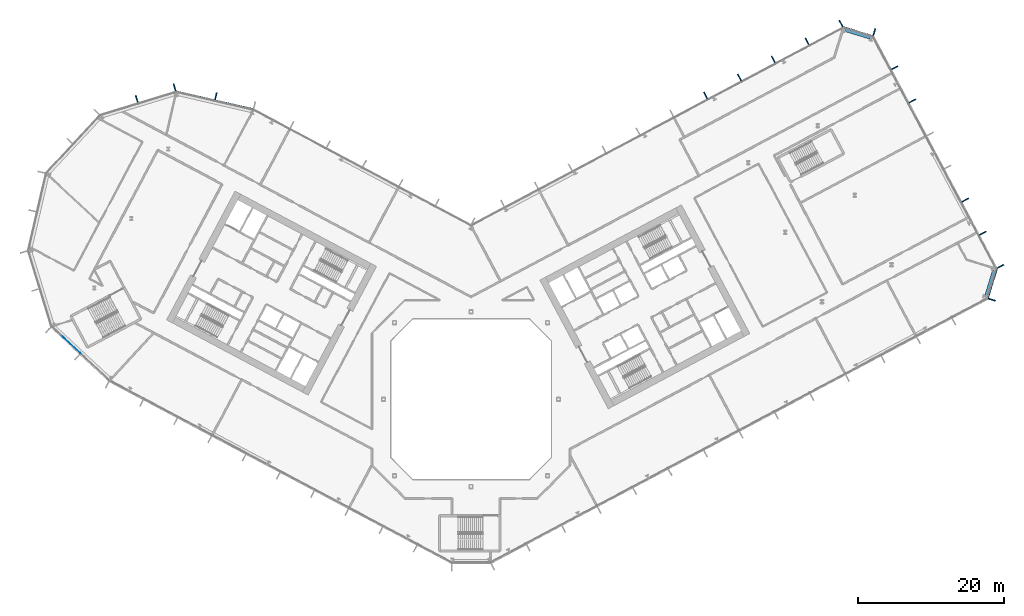
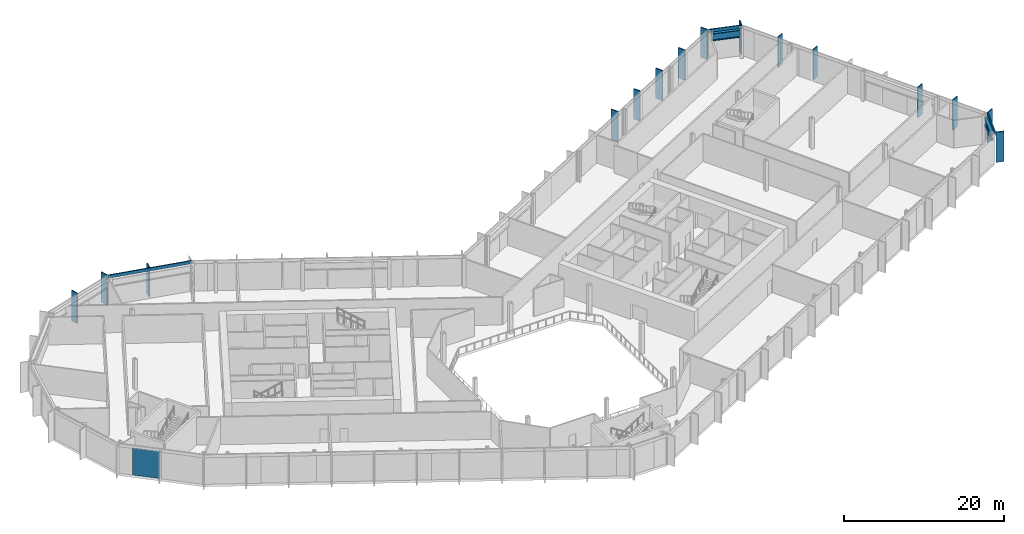
# One storey, part 9 of 32: 18 members, 2 beams, 1 plate, 7 elements without a shape of their own.
"""IFC4 building model written with IfcOpenShell, lengths in metres."""

from ifc_helpers import new_model, si_unit, direction, frame, origin, origin_2d, place, context, subcontext, project, spatial, rectangle, i_section, extrude, material, layer, layer_set, material_profile, profile_set, type_object, element, aggregate, save


model = new_model("IFC4")

# Units and contexts
model_context = context("Model", 3, precision=1e-05, world=origin(), true_north=direction((0.0, 1.0)))
body_context = subcontext(model_context, "Body", "Model", "MODEL_VIEW")
ifc_project = project(units=[si_unit("LENGTHUNIT", "METRE"), si_unit("AREAUNIT", "SQUARE_METRE"), si_unit("VOLUMEUNIT", "CUBIC_METRE"), si_unit("PLANEANGLEUNIT", "RADIAN"), si_unit("MASSUNIT", "GRAM", prefix="KILO")], contexts=[model_context])

# Site, building, storey
site_placement = place(None, origin())
site = spatial("IfcSite", under=ifc_project, at=site_placement, CompositionType="ELEMENT")
building_placement = place(site_placement, origin())
building = spatial("IfcBuilding", under=site, at=building_placement, Name="Cormorant Relay Tower", CompositionType="ELEMENT")
storey_placement = place(building_placement, frame((0.0, 0.0, 70.800048828125)))
storey = spatial("IfcBuildingStorey", under=building, at=storey_placement, Name="L13", CompositionType="ELEMENT", Elevation=70.800048828125)

# Curtain wall, member
ifc_material_1 = material(Name="Aluminium 6063-T6 anodised bronze", Category="aluminium")
ifc_layer_1 = layer(ifc_material_1, 0.199951171875)
ifc_layer_set_1 = layer_set([ifc_layer_1], Name="CW1 unitised bronze curtain wall with vertical fins")
curtain_wall_type = type_object("IfcCurtainWallType", Name="CW1 unitised bronze curtain wall with vertical fins", PredefinedType="NOTDEFINED", material=ifc_layer_set_1)
curtain_wall_1_placement = place(storey_placement, origin())
curtain_wall_1 = element("IfcCurtainWall", 1, at=curtain_wall_1_placement, inside=storey, type_object=curtain_wall_type, Name="CW1 curtain wall 3", PredefinedType="NOTDEFINED")
ifc_material_2 = material(Name="Aluminium 6063-T6 anodised bronze", Category="aluminium")
ifc_material_profile_1 = material_profile(ifc_material_2, rectangle(XDim=0.14990234375, YDim=1.0, at=origin_2d()), Name="AL 150x1000")
ifc_profile_set_1 = profile_set([ifc_material_profile_1], Name="Aluminium 6063-T6 anodised bronze")
member_type_1 = type_object("IfcMemberType", Name="CW1 bronze fin mullion 150 x 1000", PredefinedType="MULLION", material=ifc_profile_set_1)
member_1_placement = place(storey_placement, frame((71.45166015625, 13.64697265625, 0.0), z_axis=(0.0, 0.0, 1.0), x_axis=(0.292371704723, 0.956304755963, 0.0)))
member_1 = element("IfcMember", 2, at=member_1_placement, type_object=member_type_1, Name="CW1 fin 3.1", PredefinedType="MULLION", context=body_context, shape_type="SweptSolid", body=[
    extrude(rectangle(XDim=0.14990234375, YDim=1.0, at=origin_2d()), origin(), (0.0, 0.0, 1.0), 4.599853515625),
])

# Curtain wall, members
curtain_wall_2_placement = place(storey_placement, origin())
curtain_wall_2 = element("IfcCurtainWall", 3, at=curtain_wall_2_placement, inside=storey, type_object=curtain_wall_type, Name="CW1 curtain wall 4", PredefinedType="NOTDEFINED")
member_2_placement = place(storey_placement, frame((72.640869140625, 18.237548828125, 0.0), z_axis=(0.0, 0.0, 1.0), x_axis=(-0.469471562786, 0.882947592859, 0.0)))
member_2 = element("IfcMember", 4, at=member_2_placement, type_object=member_type_1, Name="CW1 fin 4.1", PredefinedType="MULLION", context=body_context, shape_type="SweptSolid", body=[
    extrude(rectangle(XDim=0.14990234375, YDim=1.0, at=origin_2d()), origin(), (0.0, 0.0, 1.0), 4.599853515625),
])
member_3_placement = place(storey_placement, frame((70.226318359375, 22.7783203125, 0.0), z_axis=(0.0, 0.0, 1.0), x_axis=(-0.469471562786, 0.882947592859, 0.0)))
member_3 = element("IfcMember", 5, at=member_3_placement, type_object=member_type_1, Name="CW1 fin 4.2", PredefinedType="MULLION", context=body_context, shape_type="SweptSolid", body=[
    extrude(rectangle(XDim=0.14990234375, YDim=1.0, at=origin_2d()), origin(), (0.0, 0.0, 1.0), 4.599853515625),
])
member_4_placement = place(storey_placement, frame((67.81201171875, 27.3193359375, 0.0), z_axis=(0.0, 0.0, 1.0), x_axis=(-0.469471562786, 0.882947592859, 0.0)))
member_4 = element("IfcMember", 6, at=member_4_placement, type_object=member_type_1, Name="CW1 fin 4.3", PredefinedType="MULLION", context=body_context, shape_type="SweptSolid", body=[
    extrude(rectangle(XDim=0.14990234375, YDim=1.0, at=origin_2d()), origin(), (0.0, 0.0, 1.0), 4.599853515625),
])
member_5_placement = place(storey_placement, frame((60.568603515625, 40.94189453125, 0.0), z_axis=(0.0, 0.0, 1.0), x_axis=(-0.469471562786, 0.882947592859, 0.0)))
member_5 = element("IfcMember", 7, at=member_5_placement, type_object=member_type_1, Name="CW1 fin 4.6", PredefinedType="MULLION", context=body_context, shape_type="SweptSolid", body=[
    extrude(rectangle(XDim=0.14990234375, YDim=1.0, at=origin_2d()), origin(), (0.0, 0.0, 1.0), 4.599853515625),
])
member_6_placement = place(storey_placement, frame((58.154296875, 45.48291015625, 0.0), z_axis=(0.0, 0.0, 1.0), x_axis=(-0.469471562786, 0.882947592859, 0.0)))
member_6 = element("IfcMember", 8, at=member_6_placement, type_object=member_type_1, Name="CW1 fin 4.7", PredefinedType="MULLION", context=body_context, shape_type="SweptSolid", body=[
    extrude(rectangle(XDim=0.14990234375, YDim=1.0, at=origin_2d()), origin(), (0.0, 0.0, 1.0), 4.599853515625),
])
aggregate(curtain_wall_2, [member_2, member_3, member_4, member_5, member_6])

# Curtain wall, member
curtain_wall_3_placement = place(storey_placement, origin())
curtain_wall_3 = element("IfcCurtainWall", 9, at=curtain_wall_3_placement, inside=storey, type_object=curtain_wall_type, Name="CW1 curtain wall 5", PredefinedType="NOTDEFINED")
member_7_placement = place(storey_placement, frame((55.326416015625, 50.364501953125, 0.0), z_axis=(0.0, 0.0, 1.0), x_axis=(-0.956304755963, 0.292371704723, 0.0)))
member_7 = element("IfcMember", 10, at=member_7_placement, type_object=member_type_1, Name="CW1 fin 5.1", PredefinedType="MULLION", context=body_context, shape_type="SweptSolid", body=[
    extrude(rectangle(XDim=0.14990234375, YDim=1.0, at=origin_2d()), origin(), (0.0, 0.0, 1.0), 4.599853515625),
])

# Curtain wall, members
curtain_wall_4_placement = place(storey_placement, origin())
curtain_wall_4 = element("IfcCurtainWall", 11, at=curtain_wall_4_placement, inside=storey, type_object=curtain_wall_type, Name="CW1 curtain wall 6", PredefinedType="NOTDEFINED")
member_8_placement = place(storey_placement, frame((50.73583984375, 51.553466796875, 0.0), z_axis=(0.0, 0.0, 1.0), x_axis=(-0.882947592859, -0.469471562786, 0.0)))
member_8 = element("IfcMember", 12, at=member_8_placement, type_object=member_type_1, Name="CW1 fin 6.1", PredefinedType="MULLION", context=body_context, shape_type="SweptSolid", body=[
    extrude(rectangle(XDim=0.14990234375, YDim=1.0, at=origin_2d()), origin(), (0.0, 0.0, 1.0), 4.599853515625),
])
member_9_placement = place(storey_placement, frame((46.093505859375, 49.085205078125, 0.0), z_axis=(0.0, 0.0, 1.0), x_axis=(-0.882947592859, -0.469471562786, 0.0)))
member_9 = element("IfcMember", 13, at=member_9_placement, type_object=member_type_1, Name="CW1 fin 6.2", PredefinedType="MULLION", context=body_context, shape_type="SweptSolid", body=[
    extrude(rectangle(XDim=0.14990234375, YDim=1.0, at=origin_2d()), origin(), (0.0, 0.0, 1.0), 4.599853515625),
])
member_10_placement = place(storey_placement, frame((41.451416015625, 46.616943359375, 0.0), z_axis=(0.0, 0.0, 1.0), x_axis=(-0.882947592859, -0.469471562786, 0.0)))
member_10 = element("IfcMember", 14, at=member_10_placement, type_object=member_type_1, Name="CW1 fin 6.3", PredefinedType="MULLION", context=body_context, shape_type="SweptSolid", body=[
    extrude(rectangle(XDim=0.14990234375, YDim=1.0, at=origin_2d()), origin(), (0.0, 0.0, 1.0), 4.599853515625),
])
member_11_placement = place(storey_placement, frame((36.80908203125, 44.148681640625, 0.0), z_axis=(0.0, 0.0, 1.0), x_axis=(-0.882947592859, -0.469471562786, 0.0)))
member_11 = element("IfcMember", 15, at=member_11_placement, type_object=member_type_1, Name="CW1 fin 6.4", PredefinedType="MULLION", context=body_context, shape_type="SweptSolid", body=[
    extrude(rectangle(XDim=0.14990234375, YDim=1.0, at=origin_2d()), origin(), (0.0, 0.0, 1.0), 4.599853515625),
])
member_12_placement = place(storey_placement, frame((32.1669921875, 41.68017578125, 0.0), z_axis=(0.0, 0.0, 1.0), x_axis=(-0.882947592859, -0.469471562786, 0.0)))
member_12 = element("IfcMember", 16, at=member_12_placement, type_object=member_type_1, Name="CW1 fin 6.5", PredefinedType="MULLION", context=body_context, shape_type="SweptSolid", body=[
    extrude(rectangle(XDim=0.14990234375, YDim=1.0, at=origin_2d()), origin(), (0.0, 0.0, 1.0), 4.599853515625),
])
aggregate(curtain_wall_4, [member_8, member_9, member_10, member_11, member_12])

# Curtain wall, member
curtain_wall_5_placement = place(storey_placement, origin())
curtain_wall_5 = element("IfcCurtainWall", 17, at=curtain_wall_5_placement, inside=storey, type_object=curtain_wall_type, Name="CW1 curtain wall 8", PredefinedType="NOTDEFINED")
member_13_placement = place(storey_placement, frame((-35.01220703125, 41.57275390625, 0.0), z_axis=(0.0, 0.0, 1.0), x_axis=(-0.974370064785, 0.224951054344, 0.0)))
member_13 = element("IfcMember", 18, at=member_13_placement, type_object=member_type_1, Name="CW1 fin 8.2", PredefinedType="MULLION", context=body_context, shape_type="SweptSolid", body=[
    extrude(rectangle(XDim=0.14990234375, YDim=1.0, at=origin_2d()), origin(), (0.0, 0.0, 1.0), 4.599853515625),
])

# Curtain wall, members
curtain_wall_6_placement = place(storey_placement, origin())
curtain_wall_6 = element("IfcCurtainWall", 19, at=curtain_wall_6_placement, inside=storey, type_object=curtain_wall_type, Name="CW1 curtain wall 9", PredefinedType="NOTDEFINED")
member_14_placement = place(storey_placement, frame((-40.670166015625, 42.78271484375, 0.0), z_axis=(0.0, 0.0, 1.0), x_axis=(-0.956304755963, -0.292371704723, 0.0)))
member_14 = element("IfcMember", 20, at=member_14_placement, type_object=member_type_1, Name="CW1 fin 9.1", PredefinedType="MULLION", context=body_context, shape_type="SweptSolid", body=[
    extrude(rectangle(XDim=0.14990234375, YDim=1.0, at=origin_2d()), origin(), (0.0, 0.0, 1.0), 4.599853515625),
])
member_15_placement = place(storey_placement, frame((-45.867919921875, 41.193603515625, 0.0), z_axis=(0.0, 0.0, 1.0), x_axis=(-0.956304755963, -0.292371704723, 0.0)))
member_15 = element("IfcMember", 21, at=member_15_placement, type_object=member_type_1, Name="CW1 fin 9.2", PredefinedType="MULLION", context=body_context, shape_type="SweptSolid", body=[
    extrude(rectangle(XDim=0.14990234375, YDim=1.0, at=origin_2d()), origin(), (0.0, 0.0, 1.0), 4.599853515625),
])
aggregate(curtain_wall_6, [member_14, member_15])

# Member
ifc_material_3 = material(Name="Aluminium 6063-T6 anodised bronze", Category="aluminium")
ifc_material_profile_2 = material_profile(ifc_material_3, rectangle(XDim=0.159912109375, YDim=0.449951171875, at=origin_2d()), Name="AL 160x450")
ifc_profile_set_2 = profile_set([ifc_material_profile_2], Name="Aluminium 6063-T6 anodised bronze")
member_type_2 = type_object("IfcMemberType", Name="CW1 bronze transom 160 x 450", PredefinedType="USERDEFINED", material=ifc_profile_set_2)
member_16_placement = place(storey_placement, frame((70.89697265625, 13.816650390625, 4.375), z_axis=(0.292391046905, 0.95629884225, 0.0), x_axis=(-0.95629884225, 0.292391046905, 0.0)))
member_16 = element("IfcMember", 22, at=member_16_placement, type_object=member_type_2, Name="CW1 transom 3", ObjectType="TRANSOM", PredefinedType="USERDEFINED", context=body_context, shape_type="SweptSolid", body=[
    extrude(rectangle(XDim=0.159912109375, YDim=0.449951171875, at=origin_2d()), origin(), (0.0, 0.0, 1.0), 4.242431640625),
])

aggregate(curtain_wall_1, [member_1, member_16])

member_17_placement = place(storey_placement, frame((55.15673828125, 49.809814453125, 4.375), z_axis=(-0.95629884225, 0.292391046905, 0.0), x_axis=(-0.292391046905, -0.95629884225, 0.0)))
member_17 = element("IfcMember", 23, at=member_17_placement, type_object=member_type_2, Name="CW1 transom 5", ObjectType="TRANSOM", PredefinedType="USERDEFINED", context=body_context, shape_type="SweptSolid", body=[
    extrude(rectangle(XDim=0.159912109375, YDim=0.449951171875, at=origin_2d()), origin(), (0.0, 0.0, 1.0), 4.242431640625),
])

aggregate(curtain_wall_3, [member_7, member_17])

member_18_placement = place(storey_placement, frame((-29.8466796875, 39.784912109375, 4.375), z_axis=(-0.974365070969, 0.224972683844, 0.0), x_axis=(-0.224972683844, -0.974365070969, 0.0)))
member_18 = element("IfcMember", 24, at=member_18_placement, type_object=member_type_2, Name="CW1 transom 8", ObjectType="TRANSOM", PredefinedType="USERDEFINED", context=body_context, shape_type="SweptSolid", body=[
    extrude(rectangle(XDim=0.159912109375, YDim=0.449951171875, at=origin_2d()), origin(), (0.0, 0.0, 1.0), 10.870361328125),
])

aggregate(curtain_wall_5, [member_13, member_18])

# Beams
ifc_material_4 = material(Name="Steel ASTM A992 (Fy 345 MPa)", Category="steel")
ifc_material_profile_3 = material_profile(ifc_material_4, i_section(OverallWidth=0.40380859375, OverallDepth=1.11767578125, WebThickness=0.026123046875, FlangeThickness=0.044921875, FilletRadius=0.02001953125, at=origin_2d()), Name="W1100x499")
ifc_profile_set_3 = profile_set([ifc_material_profile_3], Name="Steel ASTM A992 (Fy 345 MPa)")
beam_type = type_object("IfcBeamType", Name="Spandrel W1100x499", PredefinedType="SPANDREL", material=ifc_profile_set_3)
for number, where, z_axis, x_axis, name in (
    (25, (70.6943359375, 14.255126953125, 3.64111328125), (0.292423449705, 0.956288934403, 0.0), (-0.956288934403, 0.292423449705, 0.0), "Spandrel beam L13-003"),
    (26, (54.718017578125, 49.607421875, 3.64111328125), (-0.956308047674, 0.292360937806, 0.0), (-0.292360937806, -0.956308047674, 0.0), "Spandrel beam L13-005"),
):
    element("IfcBeam", number, at=place(storey_placement, frame(where, z_axis=z_axis, x_axis=x_axis)), inside=storey, type_object=beam_type, Name=name, PredefinedType="SPANDREL", context=body_context, shape_type="SweptSolid", body=[
        extrude(i_section(OverallWidth=0.40380859375, OverallDepth=1.11767578125, WebThickness=0.026123046875, FlangeThickness=0.044921875, FilletRadius=0.02001953125, at=origin_2d()), origin(), (0.0, 0.0, 1.0), 3.571533203125),
    ])

# Curtain wall, plate
curtain_wall_7_placement = place(storey_placement, origin())
curtain_wall_7 = element("IfcCurtainWall", 27, at=curtain_wall_7_placement, inside=storey, type_object=curtain_wall_type, Name="CW1 curtain wall 13", PredefinedType="NOTDEFINED")
ifc_material_5 = material(Name="Tinted laminated glass", Category="glass")
ifc_layer_2 = layer(ifc_material_5, 0.0400390625)
ifc_layer_set_2 = layer_set([ifc_layer_2], Name="CW1 tinted vision panel 3600 module")
plate_type = type_object("IfcPlateType", Name="CW1 tinted vision panel 3600 module", PredefinedType="CURTAIN_PANEL", material=ifc_layer_set_2)
plate_placement = place(storey_placement, frame((-54.951416015625, 7.55517578125, 0.0), z_axis=(0.0, 0.0, 1.0), x_axis=(0.731353701619, -0.681998360062, 0.0)))
plate = element("IfcPlate", 28, at=plate_placement, type_object=plate_type, Name="CW1 panel V01", PredefinedType="CURTAIN_PANEL", context=body_context, shape_type="SweptSolid", body=[
    extrude(rectangle(XDim=3.60009765625, YDim=0.0400390625, at=origin_2d()), origin(), (0.0, 0.0, 1.0), 4.14990234375),
])
aggregate(curtain_wall_7, [plate])

save(model, "model.ifc")
